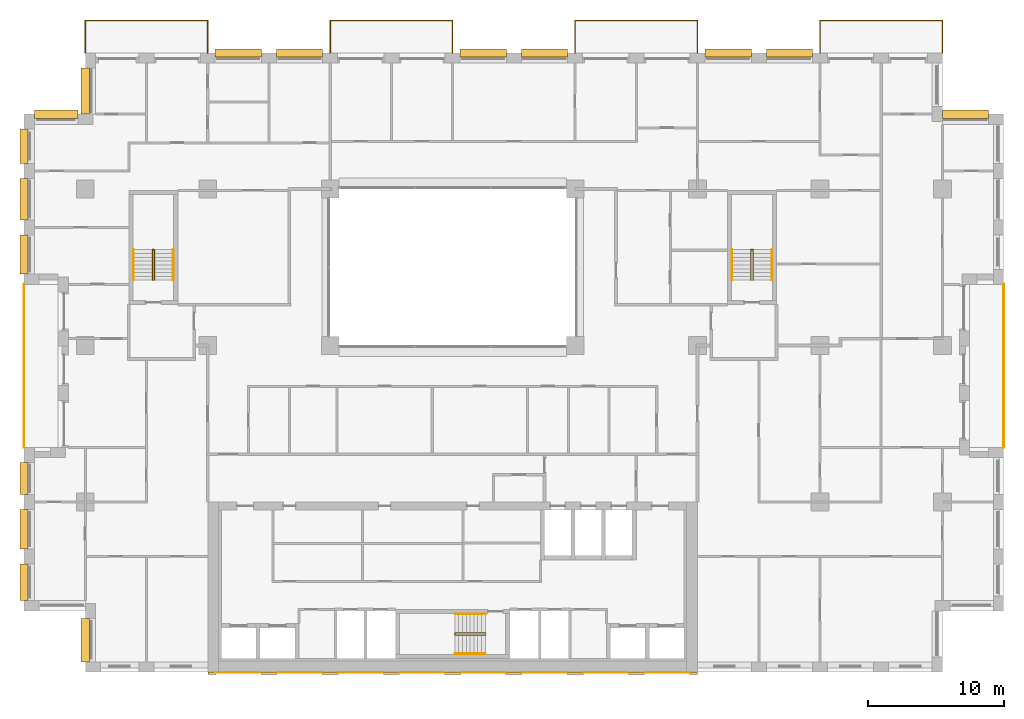
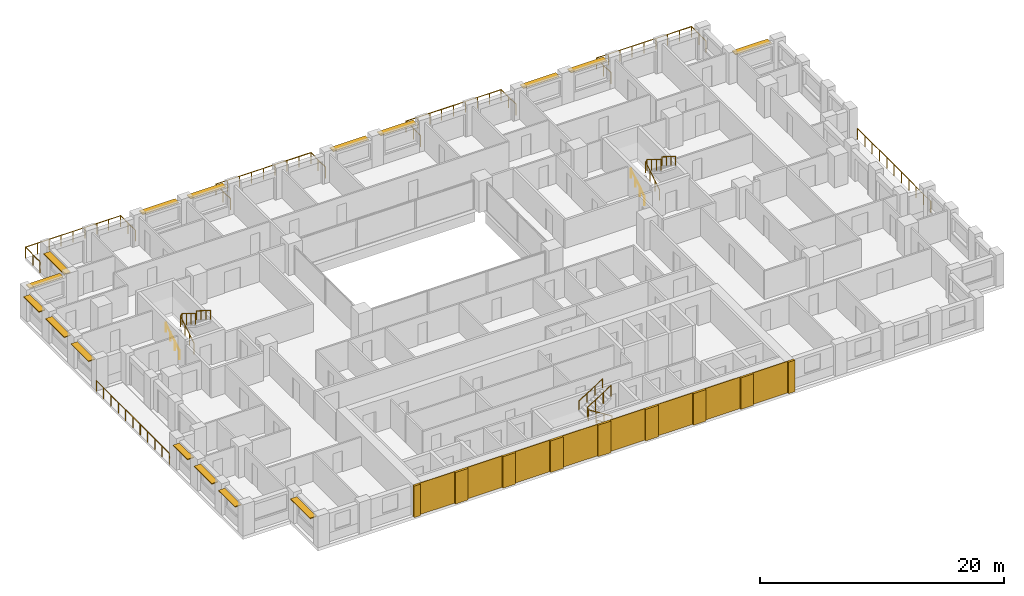
# One storey, part 16 of 16: 17 coverings, 16 shading devices, 15 railings.
"""IFC4 building model written with IfcOpenShell, lengths in metres."""

from ifc_helpers import new_model, si_unit, direction, frame, origin, origin_2d, place, context, subcontext, project, spatial, rectangle, circle, extrude, material, layer, layer_set, type_object, element, save


model = new_model("IFC4")

# Units and contexts
model_context = context("Model", 3, precision=1e-05, world=origin(), true_north=direction((0.0, 1.0)))
body_context = subcontext(model_context, "Body", "Model", "MODEL_VIEW")
ifc_project = project(units=[si_unit("LENGTHUNIT", "METRE"), si_unit("AREAUNIT", "SQUARE_METRE"), si_unit("VOLUMEUNIT", "CUBIC_METRE"), si_unit("PLANEANGLEUNIT", "RADIAN"), si_unit("MASSUNIT", "GRAM", prefix="KILO")], contexts=[model_context])

# Site, building, storey
site_placement = place(None, origin())
site = spatial("IfcSite", under=ifc_project, at=site_placement, CompositionType="ELEMENT")
building_placement = place(site_placement, origin())
building = spatial("IfcBuilding", under=site, at=building_placement, Name="Brigalow Station Residences", CompositionType="ELEMENT")
storey_placement = place(building_placement, frame((0.0, 0.0, 124.5)))
storey = spatial("IfcBuildingStorey", under=building, at=storey_placement, Name="L36", CompositionType="ELEMENT", Elevation=124.5)

# Railings
ifc_material_1 = material(Name="Stainless steel balustrade with laminated glass infill", Category="steel")
railing_type_1 = type_object("IfcRailingType", Name="BALCONY GUARD 1100", PredefinedType="GUARDRAIL", material=ifc_material_1)
railing_1_placement = place(storey_placement, frame((76.5, 16.5, -0.0400390625)))
element("IfcRailing", 1, at=railing_1_placement, inside=storey, type_object=railing_type_1, Name="L36/balcony-guard/1", PredefinedType="GUARDRAIL", context=body_context, shape_type="SweptSolid", body=[
    extrude(circle(Radius=0.02392578125, at=origin_2d()), frame((0.0, 0.0, 1.076171875), z_axis=(0.0, 1.0, 0.0), x_axis=(-1.0, 0.0, 0.0)), (0.0, 0.0, 1.0), 12.0),
    extrude(circle(Radius=0.02099609375, at=origin_2d()), origin(), (0.0, 0.0, 1.0), 1.052001953125),
    extrude(circle(Radius=0.02099609375, at=origin_2d()), frame((0.0, 1.199951171875, 0.0)), (0.0, 0.0, 1.0), 1.052001953125),
    extrude(circle(Radius=0.02099609375, at=origin_2d()), frame((0.0, 2.39990234375, 0.0)), (0.0, 0.0, 1.0), 1.052001953125),
    extrude(circle(Radius=0.02099609375, at=origin_2d()), frame((0.0, 3.60009765625, 0.0)), (0.0, 0.0, 1.0), 1.052001953125),
    extrude(circle(Radius=0.02099609375, at=origin_2d()), frame((0.0, 4.800048828125, 0.0)), (0.0, 0.0, 1.0), 1.052001953125),
    extrude(circle(Radius=0.02099609375, at=origin_2d()), frame((0.0, 6.0, 0.0)), (0.0, 0.0, 1.0), 1.052001953125),
    extrude(circle(Radius=0.02099609375, at=origin_2d()), frame((0.0, 7.199951171875, 0.0)), (0.0, 0.0, 1.0), 1.052001953125),
    extrude(circle(Radius=0.02099609375, at=origin_2d()), frame((0.0, 8.39990234375, 0.0)), (0.0, 0.0, 1.0), 1.052001953125),
    extrude(circle(Radius=0.02099609375, at=origin_2d()), frame((0.0, 9.60009765625, 0.0)), (0.0, 0.0, 1.0), 1.052001953125),
    extrude(circle(Radius=0.02099609375, at=origin_2d()), frame((0.0, 10.800048828125, 0.0)), (0.0, 0.0, 1.0), 1.052001953125),
    extrude(circle(Radius=0.02099609375, at=origin_2d()), frame((0.0, 12.0, 0.0)), (0.0, 0.0, 1.0), 1.052001953125),
])
railing_2_placement = place(storey_placement, frame((72.0, 45.5, -0.0400390625)))
element("IfcRailing", 2, at=railing_2_placement, inside=storey, type_object=railing_type_1, Name="L36/balcony-guard/2", PredefinedType="GUARDRAIL", context=body_context, shape_type="SweptSolid", body=[
    extrude(circle(Radius=0.02392578125, at=origin_2d()), frame((0.0, 0.0, 1.076171875), z_axis=(0.0, 1.0, 0.0), x_axis=(-1.0, 0.0, 0.0)), (0.0, 0.0, 1.0), 2.39990234375),
    extrude(circle(Radius=0.02392578125, at=origin_2d()), frame((0.0, 2.39990234375, 1.076171875), z_axis=(-1.0, 0.0, 0.0), x_axis=(0.0, -1.0, 0.0)), (0.0, 0.0, 1.0), 9.0),
    extrude(circle(Radius=0.02392578125, at=origin_2d()), frame((-9.0, 2.39990234375, 1.076171875), z_axis=(0.0, -1.0, 0.0), x_axis=(1.0, 0.0, 0.0)), (0.0, 0.0, 1.0), 2.39990234375),
    extrude(circle(Radius=0.02099609375, at=origin_2d()), origin(), (0.0, 0.0, 1.0), 1.052001953125),
    extrude(circle(Radius=0.02099609375, at=origin_2d()), frame((0.0, 1.199951171875, 0.0)), (0.0, 0.0, 1.0), 1.052001953125),
    extrude(circle(Radius=0.02099609375, at=origin_2d()), frame((0.0, 2.39990234375, 0.0)), (0.0, 0.0, 1.0), 1.052001953125),
    extrude(circle(Radius=0.02099609375, at=origin_2d()), frame((-1.125, 2.39990234375, 0.0)), (0.0, 0.0, 1.0), 1.052001953125),
    extrude(circle(Radius=0.02099609375, at=origin_2d()), frame((-2.25, 2.39990234375, 0.0)), (0.0, 0.0, 1.0), 1.052001953125),
    extrude(circle(Radius=0.02099609375, at=origin_2d()), frame((-3.375, 2.39990234375, 0.0)), (0.0, 0.0, 1.0), 1.052001953125),
    extrude(circle(Radius=0.02099609375, at=origin_2d()), frame((-4.5, 2.39990234375, 0.0)), (0.0, 0.0, 1.0), 1.052001953125),
    extrude(circle(Radius=0.02099609375, at=origin_2d()), frame((-5.625, 2.39990234375, 0.0)), (0.0, 0.0, 1.0), 1.052001953125),
    extrude(circle(Radius=0.02099609375, at=origin_2d()), frame((-6.75, 2.39990234375, 0.0)), (0.0, 0.0, 1.0), 1.052001953125),
    extrude(circle(Radius=0.02099609375, at=origin_2d()), frame((-7.875, 2.39990234375, 0.0)), (0.0, 0.0, 1.0), 1.052001953125),
    extrude(circle(Radius=0.02099609375, at=origin_2d()), frame((-9.0, 2.39990234375, 0.0)), (0.0, 0.0, 1.0), 1.052001953125),
    extrude(circle(Radius=0.02099609375, at=origin_2d()), frame((-9.0, 1.199951171875, 0.0)), (0.0, 0.0, 1.0), 1.052001953125),
    extrude(circle(Radius=0.02099609375, at=origin_2d()), frame((-9.0, 0.0, 0.0)), (0.0, 0.0, 1.0), 1.052001953125),
])
railing_3_placement = place(storey_placement, frame((54.0, 45.5, -0.0400390625)))
element("IfcRailing", 3, at=railing_3_placement, inside=storey, type_object=railing_type_1, Name="L36/balcony-guard/3", PredefinedType="GUARDRAIL", context=body_context, shape_type="SweptSolid", body=[
    extrude(circle(Radius=0.02392578125, at=origin_2d()), frame((0.0, 0.0, 1.076171875), z_axis=(0.0, 1.0, 0.0), x_axis=(-1.0, 0.0, 0.0)), (0.0, 0.0, 1.0), 2.39990234375),
    extrude(circle(Radius=0.02392578125, at=origin_2d()), frame((0.0, 2.39990234375, 1.076171875), z_axis=(-1.0, 0.0, 0.0), x_axis=(0.0, -1.0, 0.0)), (0.0, 0.0, 1.0), 9.0),
    extrude(circle(Radius=0.02392578125, at=origin_2d()), frame((-9.0, 2.39990234375, 1.076171875), z_axis=(0.0, -1.0, 0.0), x_axis=(1.0, 0.0, 0.0)), (0.0, 0.0, 1.0), 2.39990234375),
    extrude(circle(Radius=0.02099609375, at=origin_2d()), origin(), (0.0, 0.0, 1.0), 1.052001953125),
    extrude(circle(Radius=0.02099609375, at=origin_2d()), frame((0.0, 1.199951171875, 0.0)), (0.0, 0.0, 1.0), 1.052001953125),
    extrude(circle(Radius=0.02099609375, at=origin_2d()), frame((0.0, 2.39990234375, 0.0)), (0.0, 0.0, 1.0), 1.052001953125),
    extrude(circle(Radius=0.02099609375, at=origin_2d()), frame((-1.125, 2.39990234375, 0.0)), (0.0, 0.0, 1.0), 1.052001953125),
    extrude(circle(Radius=0.02099609375, at=origin_2d()), frame((-2.25, 2.39990234375, 0.0)), (0.0, 0.0, 1.0), 1.052001953125),
    extrude(circle(Radius=0.02099609375, at=origin_2d()), frame((-3.375, 2.39990234375, 0.0)), (0.0, 0.0, 1.0), 1.052001953125),
    extrude(circle(Radius=0.02099609375, at=origin_2d()), frame((-4.5, 2.39990234375, 0.0)), (0.0, 0.0, 1.0), 1.052001953125),
    extrude(circle(Radius=0.02099609375, at=origin_2d()), frame((-5.625, 2.39990234375, 0.0)), (0.0, 0.0, 1.0), 1.052001953125),
    extrude(circle(Radius=0.02099609375, at=origin_2d()), frame((-6.75, 2.39990234375, 0.0)), (0.0, 0.0, 1.0), 1.052001953125),
    extrude(circle(Radius=0.02099609375, at=origin_2d()), frame((-7.875, 2.39990234375, 0.0)), (0.0, 0.0, 1.0), 1.052001953125),
    extrude(circle(Radius=0.02099609375, at=origin_2d()), frame((-9.0, 2.39990234375, 0.0)), (0.0, 0.0, 1.0), 1.052001953125),
    extrude(circle(Radius=0.02099609375, at=origin_2d()), frame((-9.0, 1.199951171875, 0.0)), (0.0, 0.0, 1.0), 1.052001953125),
    extrude(circle(Radius=0.02099609375, at=origin_2d()), frame((-9.0, 0.0, 0.0)), (0.0, 0.0, 1.0), 1.052001953125),
])
railing_4_placement = place(storey_placement, frame((36.0, 45.5, -0.0400390625)))
element("IfcRailing", 4, at=railing_4_placement, inside=storey, type_object=railing_type_1, Name="L36/balcony-guard/4", PredefinedType="GUARDRAIL", context=body_context, shape_type="SweptSolid", body=[
    extrude(circle(Radius=0.02392578125, at=origin_2d()), frame((0.0, 0.0, 1.076171875), z_axis=(0.0, 1.0, 0.0), x_axis=(-1.0, 0.0, 0.0)), (0.0, 0.0, 1.0), 2.39990234375),
    extrude(circle(Radius=0.02392578125, at=origin_2d()), frame((0.0, 2.39990234375, 1.076171875), z_axis=(-1.0, 0.0, 0.0), x_axis=(0.0, -1.0, 0.0)), (0.0, 0.0, 1.0), 9.0),
    extrude(circle(Radius=0.02392578125, at=origin_2d()), frame((-9.0, 2.39990234375, 1.076171875), z_axis=(0.0, -1.0, 0.0), x_axis=(1.0, 0.0, 0.0)), (0.0, 0.0, 1.0), 2.39990234375),
    extrude(circle(Radius=0.02099609375, at=origin_2d()), origin(), (0.0, 0.0, 1.0), 1.052001953125),
    extrude(circle(Radius=0.02099609375, at=origin_2d()), frame((0.0, 1.199951171875, 0.0)), (0.0, 0.0, 1.0), 1.052001953125),
    extrude(circle(Radius=0.02099609375, at=origin_2d()), frame((0.0, 2.39990234375, 0.0)), (0.0, 0.0, 1.0), 1.052001953125),
    extrude(circle(Radius=0.02099609375, at=origin_2d()), frame((-1.125, 2.39990234375, 0.0)), (0.0, 0.0, 1.0), 1.052001953125),
    extrude(circle(Radius=0.02099609375, at=origin_2d()), frame((-2.25, 2.39990234375, 0.0)), (0.0, 0.0, 1.0), 1.052001953125),
    extrude(circle(Radius=0.02099609375, at=origin_2d()), frame((-3.375, 2.39990234375, 0.0)), (0.0, 0.0, 1.0), 1.052001953125),
    extrude(circle(Radius=0.02099609375, at=origin_2d()), frame((-4.5, 2.39990234375, 0.0)), (0.0, 0.0, 1.0), 1.052001953125),
    extrude(circle(Radius=0.02099609375, at=origin_2d()), frame((-5.625, 2.39990234375, 0.0)), (0.0, 0.0, 1.0), 1.052001953125),
    extrude(circle(Radius=0.02099609375, at=origin_2d()), frame((-6.75, 2.39990234375, 0.0)), (0.0, 0.0, 1.0), 1.052001953125),
    extrude(circle(Radius=0.02099609375, at=origin_2d()), frame((-7.875, 2.39990234375, 0.0)), (0.0, 0.0, 1.0), 1.052001953125),
    extrude(circle(Radius=0.02099609375, at=origin_2d()), frame((-9.0, 2.39990234375, 0.0)), (0.0, 0.0, 1.0), 1.052001953125),
    extrude(circle(Radius=0.02099609375, at=origin_2d()), frame((-9.0, 1.199951171875, 0.0)), (0.0, 0.0, 1.0), 1.052001953125),
    extrude(circle(Radius=0.02099609375, at=origin_2d()), frame((-9.0, 0.0, 0.0)), (0.0, 0.0, 1.0), 1.052001953125),
])
railing_5_placement = place(storey_placement, frame((18.0, 45.5, -0.0400390625)))
element("IfcRailing", 5, at=railing_5_placement, inside=storey, type_object=railing_type_1, Name="L36/balcony-guard/5", PredefinedType="GUARDRAIL", context=body_context, shape_type="SweptSolid", body=[
    extrude(circle(Radius=0.02392578125, at=origin_2d()), frame((0.0, 0.0, 1.076171875), z_axis=(0.0, 1.0, 0.0), x_axis=(-1.0, 0.0, 0.0)), (0.0, 0.0, 1.0), 2.39990234375),
    extrude(circle(Radius=0.02392578125, at=origin_2d()), frame((0.0, 2.39990234375, 1.076171875), z_axis=(-1.0, 0.0, 0.0), x_axis=(0.0, -1.0, 0.0)), (0.0, 0.0, 1.0), 9.0),
    extrude(circle(Radius=0.02392578125, at=origin_2d()), frame((-9.0, 2.39990234375, 1.076171875), z_axis=(0.0, -1.0, 0.0), x_axis=(1.0, 0.0, 0.0)), (0.0, 0.0, 1.0), 2.39990234375),
    extrude(circle(Radius=0.02099609375, at=origin_2d()), origin(), (0.0, 0.0, 1.0), 1.052001953125),
    extrude(circle(Radius=0.02099609375, at=origin_2d()), frame((0.0, 1.199951171875, 0.0)), (0.0, 0.0, 1.0), 1.052001953125),
    extrude(circle(Radius=0.02099609375, at=origin_2d()), frame((0.0, 2.39990234375, 0.0)), (0.0, 0.0, 1.0), 1.052001953125),
    extrude(circle(Radius=0.02099609375, at=origin_2d()), frame((-1.125, 2.39990234375, 0.0)), (0.0, 0.0, 1.0), 1.052001953125),
    extrude(circle(Radius=0.02099609375, at=origin_2d()), frame((-2.25, 2.39990234375, 0.0)), (0.0, 0.0, 1.0), 1.052001953125),
    extrude(circle(Radius=0.02099609375, at=origin_2d()), frame((-3.375, 2.39990234375, 0.0)), (0.0, 0.0, 1.0), 1.052001953125),
    extrude(circle(Radius=0.02099609375, at=origin_2d()), frame((-4.5, 2.39990234375, 0.0)), (0.0, 0.0, 1.0), 1.052001953125),
    extrude(circle(Radius=0.02099609375, at=origin_2d()), frame((-5.625, 2.39990234375, 0.0)), (0.0, 0.0, 1.0), 1.052001953125),
    extrude(circle(Radius=0.02099609375, at=origin_2d()), frame((-6.75, 2.39990234375, 0.0)), (0.0, 0.0, 1.0), 1.052001953125),
    extrude(circle(Radius=0.02099609375, at=origin_2d()), frame((-7.875, 2.39990234375, 0.0)), (0.0, 0.0, 1.0), 1.052001953125),
    extrude(circle(Radius=0.02099609375, at=origin_2d()), frame((-9.0, 2.39990234375, 0.0)), (0.0, 0.0, 1.0), 1.052001953125),
    extrude(circle(Radius=0.02099609375, at=origin_2d()), frame((-9.0, 1.199951171875, 0.0)), (0.0, 0.0, 1.0), 1.052001953125),
    extrude(circle(Radius=0.02099609375, at=origin_2d()), frame((-9.0, 0.0, 0.0)), (0.0, 0.0, 1.0), 1.052001953125),
])
railing_6_placement = place(storey_placement, frame((4.5, 28.5, -0.0400390625)))
element("IfcRailing", 6, at=railing_6_placement, inside=storey, type_object=railing_type_1, Name="L36/balcony-guard/6", PredefinedType="GUARDRAIL", context=body_context, shape_type="SweptSolid", body=[
    extrude(circle(Radius=0.02392578125, at=origin_2d()), frame((0.0, 0.0, 1.076171875), z_axis=(0.0, -1.0, 0.0), x_axis=(1.0, 0.0, 0.0)), (0.0, 0.0, 1.0), 12.0),
    extrude(circle(Radius=0.02099609375, at=origin_2d()), origin(), (0.0, 0.0, 1.0), 1.052001953125),
    extrude(circle(Radius=0.02099609375, at=origin_2d()), frame((0.0, -1.199951171875, 0.0)), (0.0, 0.0, 1.0), 1.052001953125),
    extrude(circle(Radius=0.02099609375, at=origin_2d()), frame((0.0, -2.39990234375, 0.0)), (0.0, 0.0, 1.0), 1.052001953125),
    extrude(circle(Radius=0.02099609375, at=origin_2d()), frame((0.0, -3.60009765625, 0.0)), (0.0, 0.0, 1.0), 1.052001953125),
    extrude(circle(Radius=0.02099609375, at=origin_2d()), frame((0.0, -4.800048828125, 0.0)), (0.0, 0.0, 1.0), 1.052001953125),
    extrude(circle(Radius=0.02099609375, at=origin_2d()), frame((0.0, -6.0, 0.0)), (0.0, 0.0, 1.0), 1.052001953125),
    extrude(circle(Radius=0.02099609375, at=origin_2d()), frame((0.0, -7.199951171875, 0.0)), (0.0, 0.0, 1.0), 1.052001953125),
    extrude(circle(Radius=0.02099609375, at=origin_2d()), frame((0.0, -8.39990234375, 0.0)), (0.0, 0.0, 1.0), 1.052001953125),
    extrude(circle(Radius=0.02099609375, at=origin_2d()), frame((0.0, -9.60009765625, 0.0)), (0.0, 0.0, 1.0), 1.052001953125),
    extrude(circle(Radius=0.02099609375, at=origin_2d()), frame((0.0, -10.800048828125, 0.0)), (0.0, 0.0, 1.0), 1.052001953125),
    extrude(circle(Radius=0.02099609375, at=origin_2d()), frame((0.0, -12.0, 0.0)), (0.0, 0.0, 1.0), 1.052001953125),
])

# Coverings
ifc_material_2 = material(Name="Clay brick masonry", Category="masonry")
ifc_layer_1 = layer(ifc_material_2, 0.06005859375)
ifc_layer_set_1 = layer_set([ifc_layer_1], Name="BRICK PANEL FACING 60")
covering_type_1 = type_object("IfcCoveringType", Name="BRICK PANEL FACING 60", PredefinedType="CLADDING", material=ifc_layer_set_1)
for number, where, z_axis, x_axis, name in (
    (7, (20.25, -0.030029296875, 0.0), (0.0, 0.0, 1.0), (1.0, 0.0, 0.0), "L36/rear-facing/panel-1"),
    (8, (24.75, -0.030029296875, 0.0), (0.0, 0.0, 1.0), (1.0, 0.0, 0.0), "L36/rear-facing/panel-2"),
    (9, (29.25, -0.030029296875, 0.0), (0.0, 0.0, 1.0), (1.0, 0.0, 0.0), "L36/rear-facing/panel-3"),
    (10, (33.75, -0.030029296875, 0.0), (0.0, 0.0, 1.0), (1.0, 0.0, 0.0), "L36/rear-facing/panel-4"),
    (11, (38.25, -0.030029296875, 0.0), (0.0, 0.0, 1.0), (1.0, 0.0, 0.0), "L36/rear-facing/panel-5"),
    (12, (42.75, -0.030029296875, 0.0), (0.0, 0.0, 1.0), (1.0, 0.0, 0.0), "L36/rear-facing/panel-6"),
    (13, (47.25, -0.030029296875, 0.0), (0.0, 0.0, 1.0), (1.0, 0.0, 0.0), "L36/rear-facing/panel-7"),
    (14, (51.75, -0.030029296875, 0.0), (0.0, 0.0, 1.0), (1.0, 0.0, 0.0), "L36/rear-facing/panel-8"),
):
    element("IfcCovering", number, at=place(storey_placement, frame(where, z_axis=z_axis, x_axis=x_axis)), inside=storey, type_object=covering_type_1, Name=name, PredefinedType="CLADDING", context=body_context, shape_type="SweptSolid", body=[
        extrude(rectangle(XDim=3.300048828125, YDim=0.06005859375, at=origin_2d()), origin(), (0.0, 0.0, 1.0), 3.14990234375),
    ])
ifc_material_3 = material(Name="Clay brick masonry", Category="masonry")
ifc_layer_2 = layer(ifc_material_3, 0.199951171875)
ifc_layer_set_2 = layer_set([ifc_layer_2], Name="BRICK PIER FACING 200")
covering_type_2 = type_object("IfcCoveringType", Name="BRICK PIER FACING 200", PredefinedType="CLADDING", material=ifc_layer_set_2)
covering_1_placement = place(storey_placement, frame((18.300048828125, -0.10009765625, 0.0), z_axis=(0.0, 0.0, 1.0), x_axis=(1.0, 0.0, 0.0)))
element("IfcCovering", 15, at=covering_1_placement, inside=storey, type_object=covering_type_2, Name="L36/rear-facing/pier-1", PredefinedType="CLADDING", context=body_context, shape_type="SweptSolid", body=[
    extrude(rectangle(XDim=0.60009765625, YDim=0.199951171875, at=origin_2d()), origin(), (0.0, 0.0, 1.0), 3.14990234375),
])
for number, where, z_axis, x_axis, name in (
    (16, (22.5, -0.10009765625, 0.0), (0.0, 0.0, 1.0), (1.0, 0.0, 0.0), "L36/rear-facing/pier-2"),
    (17, (27.0, -0.10009765625, 0.0), (0.0, 0.0, 1.0), (1.0, 0.0, 0.0), "L36/rear-facing/pier-3"),
    (18, (31.5, -0.10009765625, 0.0), (0.0, 0.0, 1.0), (1.0, 0.0, 0.0), "L36/rear-facing/pier-4"),
    (19, (36.0, -0.10009765625, 0.0), (0.0, 0.0, 1.0), (1.0, 0.0, 0.0), "L36/rear-facing/pier-5"),
    (20, (40.5, -0.10009765625, 0.0), (0.0, 0.0, 1.0), (1.0, 0.0, 0.0), "L36/rear-facing/pier-6"),
    (21, (45.0, -0.10009765625, 0.0), (0.0, 0.0, 1.0), (1.0, 0.0, 0.0), "L36/rear-facing/pier-7"),
    (22, (49.5, -0.10009765625, 0.0), (0.0, 0.0, 1.0), (1.0, 0.0, 0.0), "L36/rear-facing/pier-8"),
):
    element("IfcCovering", number, at=place(storey_placement, frame(where, z_axis=z_axis, x_axis=x_axis)), inside=storey, type_object=covering_type_2, Name=name, PredefinedType="CLADDING", context=body_context, shape_type="SweptSolid", body=[
        extrude(rectangle(XDim=1.199951171875, YDim=0.199951171875, at=origin_2d()), origin(), (0.0, 0.0, 1.0), 3.14990234375),
    ])
covering_2_placement = place(storey_placement, frame((53.699951171875, -0.10009765625, 0.0), z_axis=(0.0, 0.0, 1.0), x_axis=(1.0, 0.0, 0.0)))
element("IfcCovering", 23, at=covering_2_placement, inside=storey, type_object=covering_type_2, Name="L36/rear-facing/pier-9", PredefinedType="CLADDING", context=body_context, shape_type="SweptSolid", body=[
    extrude(rectangle(XDim=0.60009765625, YDim=0.199951171875, at=origin_2d()), origin(), (0.0, 0.0, 1.0), 3.14990234375),
])

# Railings
ifc_material_4 = material(Name="Stainless steel balustrade", Category="steel")
railing_type_2 = type_object("IfcRailingType", Name="STAIR GUARD 1100", PredefinedType="GUARDRAIL", material=ifc_material_4)
railing_7_placement = place(storey_placement, frame((38.39990234375, 2.72998046875, 0.175048828125)))
element("IfcRailing", 24, at=railing_7_placement, inside=storey, type_object=railing_type_2, Name="GUARD GR-2", PredefinedType="GUARDRAIL", context=body_context, shape_type="SweptSolid", body=[
    extrude(circle(Radius=0.02392578125, at=origin_2d()), frame((0.0, 0.0, 1.076171875), z_axis=(-0.848013881152, 0.0, 0.529974015752), x_axis=(0.0, -1.0, 0.0)), (0.0, 0.0, 1.0), 2.641357421875),
    extrude(circle(Radius=0.02392578125, at=origin_2d()), frame((-2.239990234375, 0.0, 2.47607421875), z_axis=(0.0, 0.624960567888, 0.780656319122), x_axis=(-1.0, 0.0, 0.0)), (0.0, 0.0, 1.0), 0.22412109375),
    extrude(circle(Radius=0.02392578125, at=origin_2d()), frame((-2.239990234375, 0.14013671875, 2.65087890625), z_axis=(0.848013881152, 0.0, 0.529974015752), x_axis=(0.0, 1.0, 0.0)), (0.0, 0.0, 1.0), 2.641357421875),
    extrude(circle(Radius=0.02099609375, at=origin_2d()), origin(), (0.0, 0.0, 1.0), 1.052001953125),
    extrude(circle(Radius=0.02099609375, at=origin_2d()), frame((-0.74658203125, 0.0, 0.466552734375)), (0.0, 0.0, 1.0), 1.052001953125),
    extrude(circle(Radius=0.02099609375, at=origin_2d()), frame((-1.493408203125, 0.0, 0.933349609375)), (0.0, 0.0, 1.0), 1.052001953125),
    extrude(circle(Radius=0.02099609375, at=origin_2d()), frame((-2.239990234375, 0.0, 1.39990234375)), (0.0, 0.0, 1.0), 1.052001953125),
    extrude(circle(Radius=0.02099609375, at=origin_2d()), frame((-2.239990234375, 0.14013671875, 1.574951171875)), (0.0, 0.0, 1.0), 1.052001953125),
    extrude(circle(Radius=0.02099609375, at=origin_2d()), frame((-1.493408203125, 0.14013671875, 2.04150390625)), (0.0, 0.0, 1.0), 1.052001953125),
    extrude(circle(Radius=0.02099609375, at=origin_2d()), frame((-0.74658203125, 0.14013671875, 2.50830078125)), (0.0, 0.0, 1.0), 1.052001953125),
    extrude(circle(Radius=0.02099609375, at=origin_2d()), frame((0.0, 0.14013671875, 2.974853515625)), (0.0, 0.0, 1.0), 1.052001953125),
])
for number, where, name in (
    (25, (13.929931640625, 28.800048828125, 0.175048828125), "GUARD GR-1"),
    (26, (57.929931640625, 28.800048828125, 0.175048828125), "GUARD GR-3"),
):
    element("IfcRailing", number, at=place(storey_placement, frame(where)), inside=storey, type_object=railing_type_2, Name=name, PredefinedType="GUARDRAIL", context=body_context, shape_type="SweptSolid", body=[
        extrude(circle(Radius=0.02392578125, at=origin_2d()), frame((0.0, 0.0, 1.076171875), z_axis=(0.0, 0.848013881152, 0.529974015752), x_axis=(-1.0, 0.0, 0.0)), (0.0, 0.0, 1.0), 2.641357421875),
        extrude(circle(Radius=0.02392578125, at=origin_2d()), frame((0.0, 2.239990234375, 2.47607421875), z_axis=(0.624960567888, 0.0, 0.780656319122), x_axis=(0.0, 1.0, 0.0)), (0.0, 0.0, 1.0), 0.22412109375),
        extrude(circle(Radius=0.02392578125, at=origin_2d()), frame((0.14013671875, 2.239990234375, 2.65087890625), z_axis=(0.0, -0.848013881152, 0.529974015752), x_axis=(1.0, 0.0, 0.0)), (0.0, 0.0, 1.0), 2.641357421875),
        extrude(circle(Radius=0.02099609375, at=origin_2d()), origin(), (0.0, 0.0, 1.0), 1.052001953125),
        extrude(circle(Radius=0.02099609375, at=origin_2d()), frame((0.0, 0.74658203125, 0.466552734375)), (0.0, 0.0, 1.0), 1.052001953125),
        extrude(circle(Radius=0.02099609375, at=origin_2d()), frame((0.0, 1.493408203125, 0.933349609375)), (0.0, 0.0, 1.0), 1.052001953125),
        extrude(circle(Radius=0.02099609375, at=origin_2d()), frame((0.0, 2.239990234375, 1.39990234375)), (0.0, 0.0, 1.0), 1.052001953125),
        extrude(circle(Radius=0.02099609375, at=origin_2d()), frame((0.14013671875, 2.239990234375, 1.574951171875)), (0.0, 0.0, 1.0), 1.052001953125),
        extrude(circle(Radius=0.02099609375, at=origin_2d()), frame((0.14013671875, 1.493408203125, 2.04150390625)), (0.0, 0.0, 1.0), 1.052001953125),
        extrude(circle(Radius=0.02099609375, at=origin_2d()), frame((0.14013671875, 0.74658203125, 2.50830078125)), (0.0, 0.0, 1.0), 1.052001953125),
        extrude(circle(Radius=0.02099609375, at=origin_2d()), frame((0.14013671875, 0.0, 2.974853515625)), (0.0, 0.0, 1.0), 1.052001953125),
    ])
ifc_material_5 = material(Name="Stainless steel handrail", Category="steel")
railing_type_3 = type_object("IfcRailingType", Name="STAIR HANDRAIL 900", PredefinedType="HANDRAIL", material=ifc_material_5)
railing_8_placement = place(storey_placement, frame((38.39990234375, 1.340087890625, 0.175048828125)))
element("IfcRailing", 27, at=railing_8_placement, inside=storey, type_object=railing_type_3, Name="HANDRAIL HR-21", PredefinedType="HANDRAIL", context=body_context, shape_type="SweptSolid", body=[
    extrude(circle(Radius=0.02392578125, at=origin_2d()), frame((0.0, 0.0, 0.8759765625), z_axis=(-0.848013881152, 0.0, 0.529974015752), x_axis=(0.0, -1.0, 0.0)), (0.0, 0.0, 1.0), 2.641357421875),
    extrude(circle(Radius=0.02099609375, at=origin_2d()), origin(), (0.0, 0.0, 1.0), 0.851806640625),
    extrude(circle(Radius=0.02099609375, at=origin_2d()), frame((-0.74658203125, 0.0, 0.466552734375)), (0.0, 0.0, 1.0), 0.851806640625),
    extrude(circle(Radius=0.02099609375, at=origin_2d()), frame((-1.493408203125, 0.0, 0.933349609375)), (0.0, 0.0, 1.0), 0.851806640625),
    extrude(circle(Radius=0.02099609375, at=origin_2d()), frame((-2.239990234375, 0.0, 1.39990234375)), (0.0, 0.0, 1.0), 0.851806640625),
])
railing_9_placement = place(storey_placement, frame((36.159912109375, 4.260009765625, 1.75)))
element("IfcRailing", 28, at=railing_9_placement, inside=storey, type_object=railing_type_3, Name="HANDRAIL HR-22", PredefinedType="HANDRAIL", context=body_context, shape_type="SweptSolid", body=[
    extrude(circle(Radius=0.02392578125, at=origin_2d()), frame((0.0, 0.0, 0.8759765625), z_axis=(0.848013881152, 0.0, 0.529974015752), x_axis=(0.0, 1.0, 0.0)), (0.0, 0.0, 1.0), 2.641357421875),
    extrude(circle(Radius=0.02099609375, at=origin_2d()), origin(), (0.0, 0.0, 1.0), 0.851806640625),
    extrude(circle(Radius=0.02099609375, at=origin_2d()), frame((0.74658203125, 0.0, 0.466552734375)), (0.0, 0.0, 1.0), 0.851806640625),
    extrude(circle(Radius=0.02099609375, at=origin_2d()), frame((1.493408203125, 0.0, 0.933349609375)), (0.0, 0.0, 1.0), 0.851806640625),
    extrude(circle(Radius=0.02099609375, at=origin_2d()), frame((2.239990234375, 0.0, 1.39990234375)), (0.0, 0.0, 1.0), 0.851806640625),
])
railing_10_placement = place(storey_placement, frame((12.5400390625, 28.800048828125, 0.175048828125)))
element("IfcRailing", 29, at=railing_10_placement, inside=storey, type_object=railing_type_3, Name="HANDRAIL HR-11", PredefinedType="HANDRAIL", context=body_context, shape_type="SweptSolid", body=[
    extrude(circle(Radius=0.02392578125, at=origin_2d()), frame((0.0, 0.0, 0.8759765625), z_axis=(0.0, 0.848013881152, 0.529974015752), x_axis=(-1.0, 0.0, 0.0)), (0.0, 0.0, 1.0), 2.641357421875),
    extrude(circle(Radius=0.02099609375, at=origin_2d()), origin(), (0.0, 0.0, 1.0), 0.851806640625),
    extrude(circle(Radius=0.02099609375, at=origin_2d()), frame((0.0, 0.74658203125, 0.466552734375)), (0.0, 0.0, 1.0), 0.851806640625),
    extrude(circle(Radius=0.02099609375, at=origin_2d()), frame((0.0, 1.493408203125, 0.933349609375)), (0.0, 0.0, 1.0), 0.851806640625),
    extrude(circle(Radius=0.02099609375, at=origin_2d()), frame((0.0, 2.239990234375, 1.39990234375)), (0.0, 0.0, 1.0), 0.851806640625),
])
railing_11_placement = place(storey_placement, frame((15.4599609375, 31.0400390625, 1.75)))
element("IfcRailing", 30, at=railing_11_placement, inside=storey, type_object=railing_type_3, Name="HANDRAIL HR-12", PredefinedType="HANDRAIL", context=body_context, shape_type="SweptSolid", body=[
    extrude(circle(Radius=0.02392578125, at=origin_2d()), frame((0.0, 0.0, 0.8759765625), z_axis=(0.0, -0.848013881152, 0.529974015752), x_axis=(1.0, 0.0, 0.0)), (0.0, 0.0, 1.0), 2.641357421875),
    extrude(circle(Radius=0.02099609375, at=origin_2d()), origin(), (0.0, 0.0, 1.0), 0.851806640625),
    extrude(circle(Radius=0.02099609375, at=origin_2d()), frame((0.0, -0.74658203125, 0.466552734375)), (0.0, 0.0, 1.0), 0.851806640625),
    extrude(circle(Radius=0.02099609375, at=origin_2d()), frame((0.0, -1.493408203125, 0.933349609375)), (0.0, 0.0, 1.0), 0.851806640625),
    extrude(circle(Radius=0.02099609375, at=origin_2d()), frame((0.0, -2.239990234375, 1.39990234375)), (0.0, 0.0, 1.0), 0.851806640625),
])
railing_12_placement = place(storey_placement, frame((56.5400390625, 28.800048828125, 0.175048828125)))
element("IfcRailing", 31, at=railing_12_placement, inside=storey, type_object=railing_type_3, Name="HANDRAIL HR-31", PredefinedType="HANDRAIL", context=body_context, shape_type="SweptSolid", body=[
    extrude(circle(Radius=0.02392578125, at=origin_2d()), frame((0.0, 0.0, 0.8759765625), z_axis=(0.0, 0.848013881152, 0.529974015752), x_axis=(-1.0, 0.0, 0.0)), (0.0, 0.0, 1.0), 2.641357421875),
    extrude(circle(Radius=0.02099609375, at=origin_2d()), origin(), (0.0, 0.0, 1.0), 0.851806640625),
    extrude(circle(Radius=0.02099609375, at=origin_2d()), frame((0.0, 0.74658203125, 0.466552734375)), (0.0, 0.0, 1.0), 0.851806640625),
    extrude(circle(Radius=0.02099609375, at=origin_2d()), frame((0.0, 1.493408203125, 0.933349609375)), (0.0, 0.0, 1.0), 0.851806640625),
    extrude(circle(Radius=0.02099609375, at=origin_2d()), frame((0.0, 2.239990234375, 1.39990234375)), (0.0, 0.0, 1.0), 0.851806640625),
])
railing_13_placement = place(storey_placement, frame((59.4599609375, 31.0400390625, 1.75)))
element("IfcRailing", 32, at=railing_13_placement, inside=storey, type_object=railing_type_3, Name="HANDRAIL HR-32", PredefinedType="HANDRAIL", context=body_context, shape_type="SweptSolid", body=[
    extrude(circle(Radius=0.02392578125, at=origin_2d()), frame((0.0, 0.0, 0.8759765625), z_axis=(0.0, -0.848013881152, 0.529974015752), x_axis=(1.0, 0.0, 0.0)), (0.0, 0.0, 1.0), 2.641357421875),
    extrude(circle(Radius=0.02099609375, at=origin_2d()), origin(), (0.0, 0.0, 1.0), 0.851806640625),
    extrude(circle(Radius=0.02099609375, at=origin_2d()), frame((0.0, -0.74658203125, 0.466552734375)), (0.0, 0.0, 1.0), 0.851806640625),
    extrude(circle(Radius=0.02099609375, at=origin_2d()), frame((0.0, -1.493408203125, 0.933349609375)), (0.0, 0.0, 1.0), 0.851806640625),
    extrude(circle(Radius=0.02099609375, at=origin_2d()), frame((0.0, -2.239990234375, 1.39990234375)), (0.0, 0.0, 1.0), 0.851806640625),
])

# Shading devices
ifc_material_6 = material(Name="Powder-coated extruded aluminium blade", Category="aluminium")
ifc_layer_3 = layer(ifc_material_6, 0.080078125)
ifc_layer_set_3 = layer_set([ifc_layer_3], Name="SUNSHADE BLADE 600x80")
shading_device_type = type_object("IfcShadingDeviceType", Name="SUNSHADE BLADE 600x80", PredefinedType="JALOUSIE", material=ifc_layer_set_3)
for number, where, z_axis, x_axis, name in (
    (33, (73.699951171875, 41.0, 2.550048828125), (0.0, 0.0, 1.0), (-1.0, 0.0, 0.0), "L36/blade/W-L36-21"),
    (34, (60.75, 45.5, 2.550048828125), (0.0, 0.0, 1.0), (-1.0, 0.0, 0.0), "L36/blade/W-L36-25"),
    (35, (56.25, 45.5, 2.550048828125), (0.0, 0.0, 1.0), (-1.0, 0.0, 0.0), "L36/blade/W-L36-26"),
    (36, (42.75, 45.5, 2.550048828125), (0.0, 0.0, 1.0), (-1.0, 0.0, 0.0), "L36/blade/W-L36-29"),
    (37, (38.25, 45.5, 2.550048828125), (0.0, 0.0, 1.0), (-1.0, 0.0, 0.0), "L36/blade/W-L36-30"),
    (38, (24.75, 45.5, 2.550048828125), (0.0, 0.0, 1.0), (-1.0, 0.0, 0.0), "L36/blade/W-L36-33"),
    (39, (20.25, 45.5, 2.550048828125), (0.0, 0.0, 1.0), (-1.0, 0.0, 0.0), "L36/blade/W-L36-34"),
    (40, (9.0, 42.699951171875, 2.550048828125), (0.0, 0.0, 1.0), (0.0, -1.0, 0.0), "L36/blade/W-L36-37"),
):
    element("IfcShadingDevice", number, at=place(storey_placement, frame(where, z_axis=z_axis, x_axis=x_axis)), inside=storey, type_object=shading_device_type, Name=name, PredefinedType="JALOUSIE", context=body_context, shape_type="SweptSolid", body=[
        extrude(rectangle(XDim=3.39990234375, YDim=0.60009765625, at=origin_2d()), origin(), (0.0, 0.0, 1.0), 0.080078125),
    ])
shading_device_1_placement = place(storey_placement, frame((6.85009765625, 41.0, 2.550048828125), z_axis=(0.0, 0.0, 1.0), x_axis=(-1.0, 0.0, 0.0)))
element("IfcShadingDevice", 41, at=shading_device_1_placement, inside=storey, type_object=shading_device_type, Name="L36/blade/W-L36-38", PredefinedType="JALOUSIE", context=body_context, shape_type="SweptSolid", body=[
    extrude(rectangle(XDim=3.199951171875, YDim=0.60009765625, at=origin_2d()), origin(), (0.0, 0.0, 1.0), 0.080078125),
])
shading_device_2_placement = place(storey_placement, frame((4.5, 38.6416015625, 2.550048828125), z_axis=(0.0, 0.0, 1.0), x_axis=(0.0, -1.0, 0.0)))
element("IfcShadingDevice", 42, at=shading_device_2_placement, inside=storey, type_object=shading_device_type, Name="L36/blade/W-L36-39", PredefinedType="JALOUSIE", context=body_context, shape_type="SweptSolid", body=[
    extrude(rectangle(XDim=2.51708984375, YDim=0.60009765625, at=origin_2d()), origin(), (0.0, 0.0, 1.0), 0.080078125),
])
shading_device_3_placement = place(storey_placement, frame((4.5, 34.75, 2.550048828125), z_axis=(0.0, 0.0, 1.0), x_axis=(0.0, -1.0, 0.0)))
element("IfcShadingDevice", 43, at=shading_device_3_placement, inside=storey, type_object=shading_device_type, Name="L36/blade/W-L36-40", PredefinedType="JALOUSIE", context=body_context, shape_type="SweptSolid", body=[
    extrude(rectangle(XDim=3.06591796875, YDim=0.60009765625, at=origin_2d()), origin(), (0.0, 0.0, 1.0), 0.080078125),
])
shading_device_4_placement = place(storey_placement, frame((4.5, 30.68359375, 2.550048828125), z_axis=(0.0, 0.0, 1.0), x_axis=(0.0, -1.0, 0.0)))
element("IfcShadingDevice", 44, at=shading_device_4_placement, inside=storey, type_object=shading_device_type, Name="L36/blade/W-L36-41", PredefinedType="JALOUSIE", context=body_context, shape_type="SweptSolid", body=[
    extrude(rectangle(XDim=2.866943359375, YDim=0.60009765625, at=origin_2d()), origin(), (0.0, 0.0, 1.0), 0.080078125),
])
shading_device_5_placement = place(storey_placement, frame((4.5, 14.22509765625, 2.550048828125), z_axis=(0.0, 0.0, 1.0), x_axis=(0.0, -1.0, 0.0)))
element("IfcShadingDevice", 45, at=shading_device_5_placement, inside=storey, type_object=shading_device_type, Name="L36/blade/W-L36-47", PredefinedType="JALOUSIE", context=body_context, shape_type="SweptSolid", body=[
    extrude(rectangle(XDim=2.35009765625, YDim=0.60009765625, at=origin_2d()), origin(), (0.0, 0.0, 1.0), 0.080078125),
])
shading_device_6_placement = place(storey_placement, frame((4.5, 10.5, 2.550048828125), z_axis=(0.0, 0.0, 1.0), x_axis=(0.0, -1.0, 0.0)))
element("IfcShadingDevice", 46, at=shading_device_6_placement, inside=storey, type_object=shading_device_type, Name="L36/blade/W-L36-48", PredefinedType="JALOUSIE", context=body_context, shape_type="SweptSolid", body=[
    extrude(rectangle(XDim=2.89990234375, YDim=0.60009765625, at=origin_2d()), origin(), (0.0, 0.0, 1.0), 0.080078125),
])
shading_device_7_placement = place(storey_placement, frame((4.5, 6.60009765625, 2.550048828125), z_axis=(0.0, 0.0, 1.0), x_axis=(0.0, -1.0, 0.0)))
element("IfcShadingDevice", 47, at=shading_device_7_placement, inside=storey, type_object=shading_device_type, Name="L36/blade/W-L36-49", PredefinedType="JALOUSIE", context=body_context, shape_type="SweptSolid", body=[
    extrude(rectangle(XDim=2.699951171875, YDim=0.60009765625, at=origin_2d()), origin(), (0.0, 0.0, 1.0), 0.080078125),
])
shading_device_8_placement = place(storey_placement, frame((9.0, 2.35009765625, 2.550048828125), z_axis=(0.0, 0.0, 1.0), x_axis=(0.0, -1.0, 0.0)))
element("IfcShadingDevice", 48, at=shading_device_8_placement, inside=storey, type_object=shading_device_type, Name="L36/blade/W-L36-51", PredefinedType="JALOUSIE", context=body_context, shape_type="SweptSolid", body=[
    extrude(rectangle(XDim=3.199951171875, YDim=0.60009765625, at=origin_2d()), origin(), (0.0, 0.0, 1.0), 0.080078125),
])

save(model, "model.ifc")
